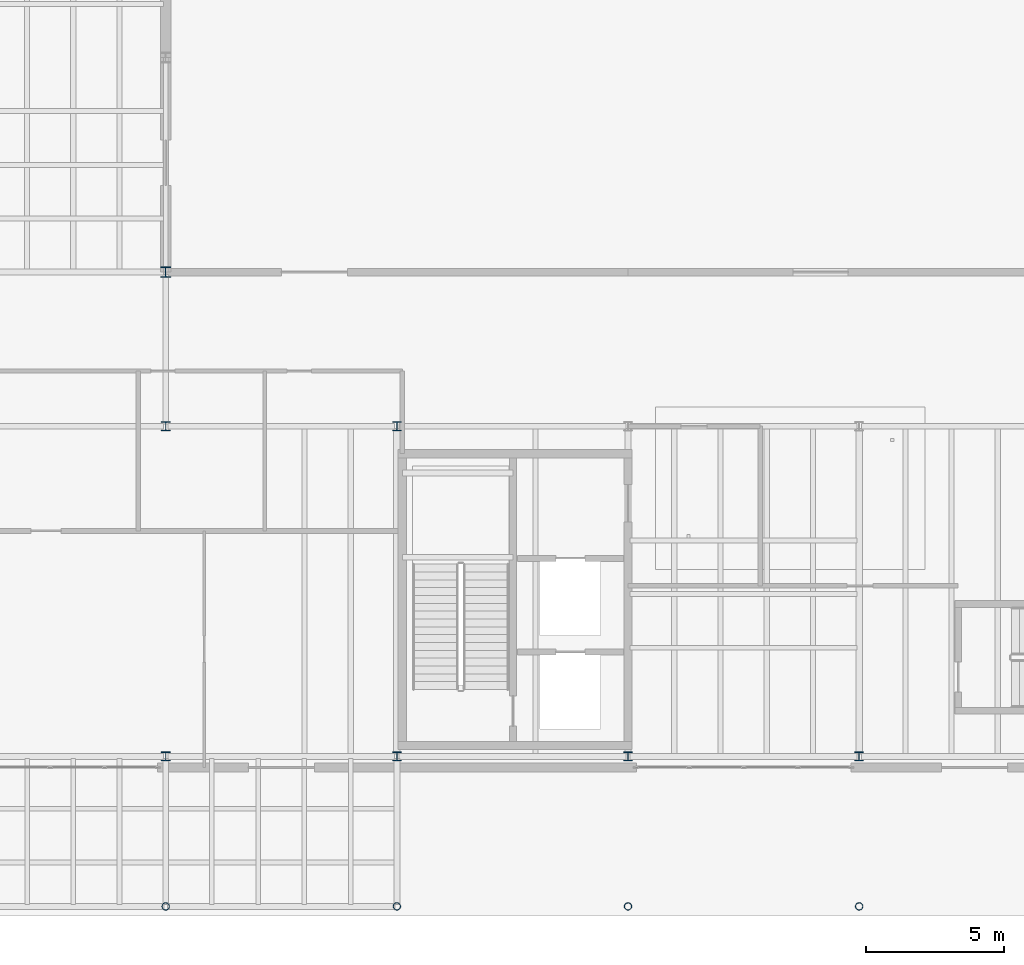
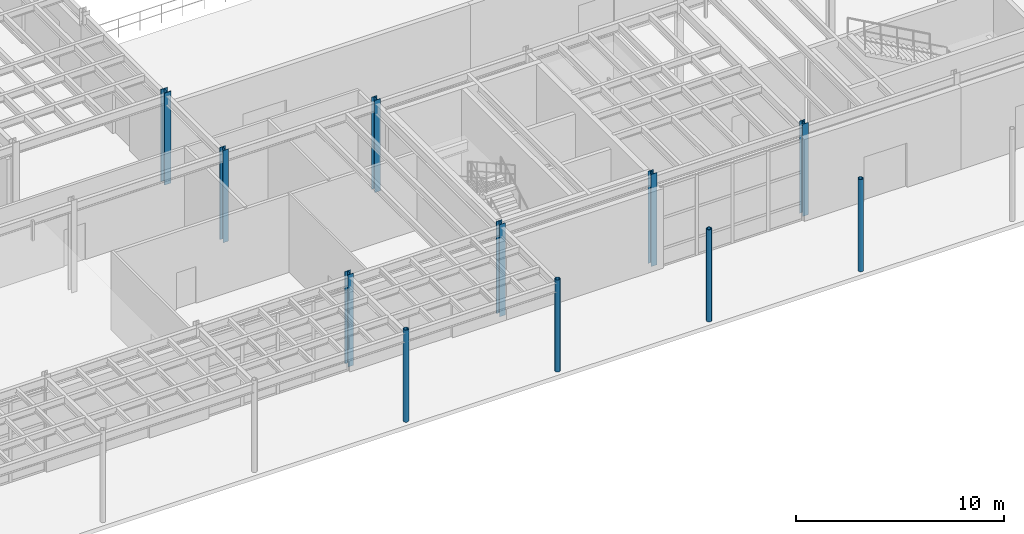
# One storey, part 7 of 87: 11 columns.
"""IFC4 building model written with IfcOpenShell, lengths in metres."""

from ifc_helpers import new_model, si_unit, direction, frame, origin, origin_2d, place, context, subcontext, project, spatial, hollow_circle, i_section, extrude, material, material_profile, profile_set, type_object, element, save


model = new_model("IFC4")

# Units and contexts
model_context = context("Model", 3, precision=1e-05, world=origin(), true_north=direction((0.0, 1.0)))
body_context = subcontext(model_context, "Body", "Model", "MODEL_VIEW")
ifc_project = project(units=[si_unit("LENGTHUNIT", "METRE"), si_unit("AREAUNIT", "SQUARE_METRE"), si_unit("VOLUMEUNIT", "CUBIC_METRE"), si_unit("PLANEANGLEUNIT", "RADIAN"), si_unit("MASSUNIT", "GRAM", prefix="KILO")], contexts=[model_context])

# Site, building, storey
site_placement = place(None, origin())
site = spatial("IfcSite", under=ifc_project, at=site_placement, CompositionType="ELEMENT")
building_placement = place(site_placement, origin())
building = spatial("IfcBuilding", under=site, at=building_placement, Name="Selat Folded Stagehouse", CompositionType="ELEMENT")
storey_placement = place(building_placement, origin())
storey = spatial("IfcBuildingStorey", under=building, at=storey_placement, Name="L00", CompositionType="ELEMENT", Elevation=0.0)

# Columns
ifc_material = material(Name="Steel S355", Category="steel")
ifc_material_profile_1 = material_profile(ifc_material, hollow_circle(Radius=0.136474609375, WallThickness=0.012451171875, at=origin_2d()), Name="CHS 273.0x12.5")
ifc_profile_set_1 = profile_set([ifc_material_profile_1], Name="Steel S355")
column_type_1 = type_object("IfcColumnType", Name="COL-CHS-273x12.5", PredefinedType="COLUMN", material=ifc_profile_set_1)
for number, where, z_axis, x_axis, name in (
    (1, (67.199951171875, 0.35009765625, 0.0), (0.0, 0.0, 1.0), (1.0, 0.0, 0.0), "L00 column STK-COLPOST-67"),
    (2, (75.60009765625, 0.35009765625, 0.0), (0.0, 0.0, 1.0), (1.0, 0.0, 0.0), "L00 column STK-COLPOST-75"),
    (3, (84.0, 0.35009765625, 0.0), (0.0, 0.0, 1.0), (1.0, 0.0, 0.0), "L00 column STK-COLPOST-84"),
    (4, (92.39990234375, 0.35009765625, 0.0), (0.0, 0.0, 1.0), (1.0, 0.0, 0.0), "L00 column STK-COLPOST-92"),
):
    element("IfcColumn", number, at=place(storey_placement, frame(where, z_axis=z_axis, x_axis=x_axis)), inside=storey, type_object=column_type_1, Name=name, PredefinedType="COLUMN", context=body_context, shape_type="SweptSolid", body=[
        extrude(hollow_circle(Radius=0.136474609375, WallThickness=0.012451171875, at=origin_2d()), origin(), (0.0, 0.0, 1.0), 5.39990234375),
    ])
ifc_material_profile_2 = material_profile(ifc_material, i_section(OverallWidth=0.311279296875, OverallDepth=0.3271484375, WebThickness=0.015869140625, FlangeThickness=0.02490234375, FilletRadius=0.01513671875, at=origin_2d()), Name="UKC 305x305x158")
ifc_profile_set_2 = profile_set([ifc_material_profile_2], Name="Steel S355")
column_type_2 = type_object("IfcColumnType", Name="COL-UKC-305x305x158", PredefinedType="COLUMN", material=ifc_profile_set_2)
for number, where, z_axis, x_axis, name in (
    (5, (67.199951171875, 5.800048828125, 0.0), (0.0, 0.0, 1.0), (1.0, 0.0, 0.0), "L00 column STK-V5-67-58"),
    (6, (67.199951171875, 17.800048828125, 0.0), (0.0, 0.0, 1.0), (1.0, 0.0, 0.0), "L00 column STK-V5-67-178"),
    (7, (75.60009765625, 5.800048828125, 0.0), (0.0, 0.0, 1.0), (1.0, 0.0, 0.0), "L00 column STK-V5-75-58"),
    (8, (75.60009765625, 17.800048828125, 0.0), (0.0, 0.0, 1.0), (1.0, 0.0, 0.0), "L00 column STK-V5-75-178"),
    (9, (84.0, 5.800048828125, 0.0), (0.0, 0.0, 1.0), (1.0, 0.0, 0.0), "L00 column STK-V5-84-58"),
    (10, (92.39990234375, 5.800048828125, 0.0), (0.0, 0.0, 1.0), (1.0, 0.0, 0.0), "L00 column STK-V5-92-58"),
):
    element("IfcColumn", number, at=place(storey_placement, frame(where, z_axis=z_axis, x_axis=x_axis)), inside=storey, type_object=column_type_2, Name=name, PredefinedType="COLUMN", context=body_context, shape_type="SweptSolid", body=[
        extrude(i_section(OverallWidth=0.311279296875, OverallDepth=0.3271484375, WebThickness=0.015869140625, FlangeThickness=0.02490234375, FilletRadius=0.01513671875, at=origin_2d()), origin(), (0.0, 0.0, 1.0), 5.39990234375),
    ])
ifc_material_profile_3 = material_profile(ifc_material, i_section(OverallWidth=0.374755859375, OverallDepth=0.37451171875, WebThickness=0.0166015625, FlangeThickness=0.027099609375, FilletRadius=0.01513671875, at=origin_2d()), Name="UKC 356x368x202")
ifc_profile_set_3 = profile_set([ifc_material_profile_3], Name="Steel S355")
column_type_3 = type_object("IfcColumnType", Name="COL-UKC-356x368x202", PredefinedType="COLUMN", material=ifc_profile_set_3)
column_placement = place(storey_placement, frame((67.199951171875, 23.39990234375, 0.0), z_axis=(0.0, 0.0, 1.0), x_axis=(1.0, 0.0, 0.0)))
element("IfcColumn", 11, at=column_placement, inside=storey, type_object=column_type_3, Name="L00 column STK-V2-21", PredefinedType="COLUMN", context=body_context, shape_type="SweptSolid", body=[
    extrude(i_section(OverallWidth=0.374755859375, OverallDepth=0.37451171875, WebThickness=0.0166015625, FlangeThickness=0.027099609375, FilletRadius=0.01513671875, at=origin_2d()), origin(), (0.0, 0.0, 1.0), 5.39990234375),
])

save(model, "model.ifc")
